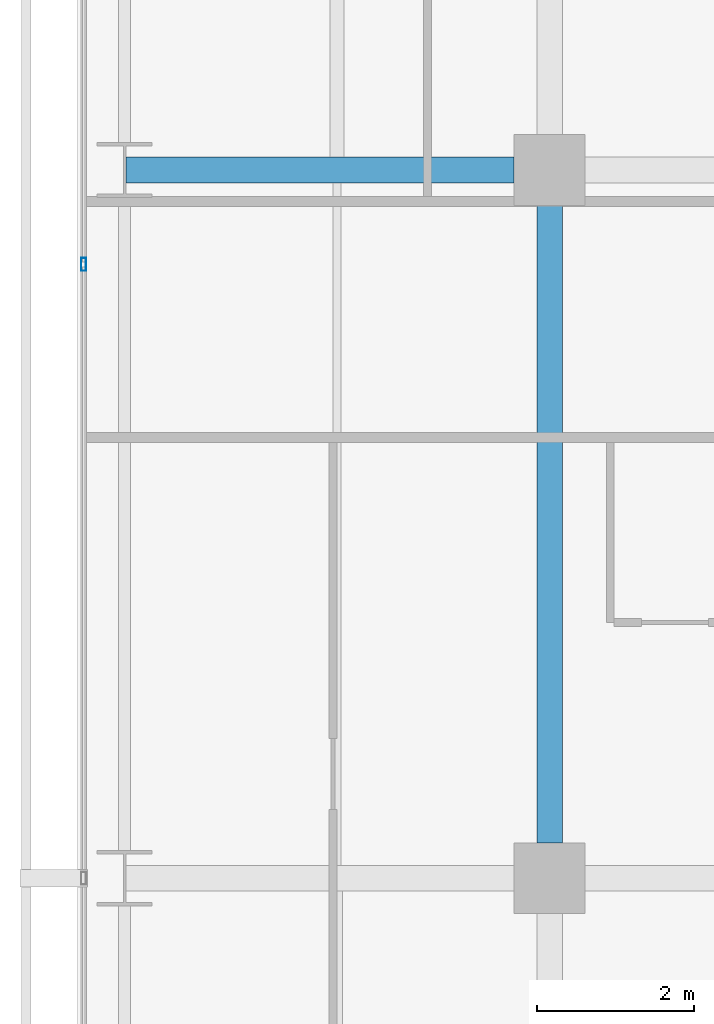
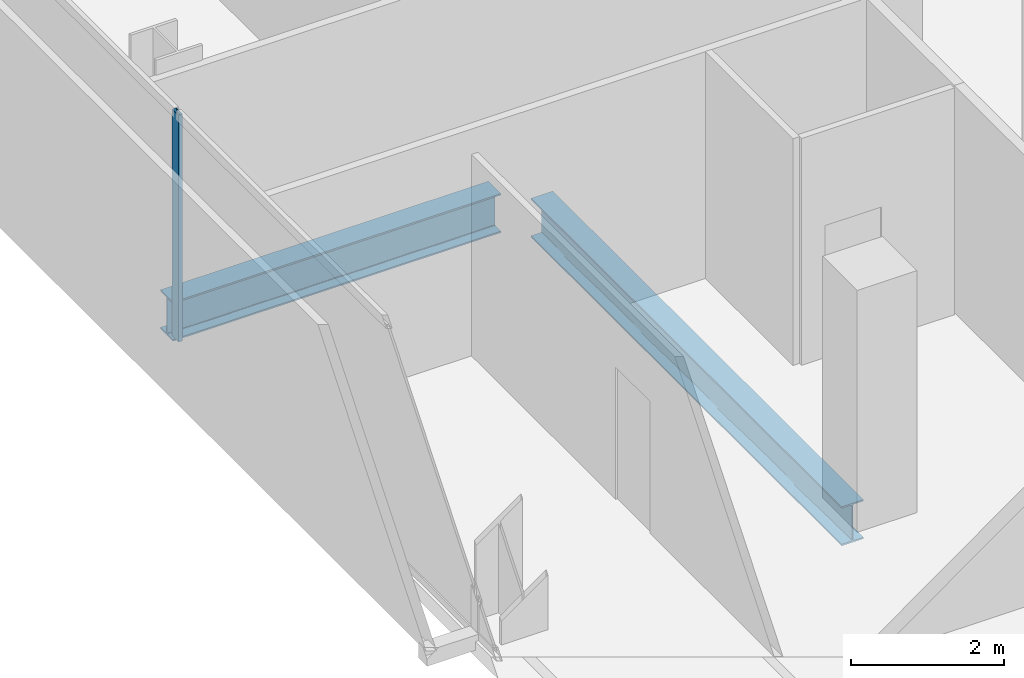
# One storey, part 21 of 39: 2 beams, 1 member, 1 element without a shape of its own.
"""IFC4 building model written with IfcOpenShell, lengths in metres."""

from ifc_helpers import new_model, si_unit, direction, frame, origin, origin_2d, place, context, subcontext, project, spatial, hollow_rectangle, i_section, extrude, material, layer, layer_set, material_profile, profile_set, type_object, element, aggregate, save


model = new_model("IFC4")

# Units and contexts
model_context = context("Model", 3, precision=1e-05, world=origin(), true_north=direction((0.0, 1.0)))
body_context = subcontext(model_context, "Body", "Model", "MODEL_VIEW")
ifc_project = project(units=[si_unit("LENGTHUNIT", "METRE"), si_unit("AREAUNIT", "SQUARE_METRE"), si_unit("VOLUMEUNIT", "CUBIC_METRE"), si_unit("PLANEANGLEUNIT", "RADIAN"), si_unit("MASSUNIT", "GRAM", prefix="KILO")], contexts=[model_context])

# Site, building, storey
site_placement = place(None, origin())
site = spatial("IfcSite", under=ifc_project, at=site_placement, CompositionType="ELEMENT")
building_placement = place(site_placement, origin())
building = spatial("IfcBuilding", under=site, at=building_placement, Name="Maruvema Waterfront Hotel and Observation Tower", CompositionType="ELEMENT")
storey_placement = place(building_placement, frame((0.0, 0.0, 69.300048828125)))
storey = spatial("IfcBuildingStorey", under=building, at=storey_placement, Name="L16", CompositionType="ELEMENT", Elevation=69.300048828125)

# Curtain wall, member
ifc_material_1 = material(Name="Anodised bronze aluminium and solar-control low-E IGU", Category="aluminium")
ifc_layer = layer(ifc_material_1, 0.159912109375, Name="Zone 1 Bronze Inner Thermal Curtain Wall System CW-02")
ifc_layer_set = layer_set([ifc_layer], Name="Anodised bronze aluminium and solar-control low-E IGU")
curtain_wall_type = type_object("IfcCurtainWallType", Name="Zone 1 Bronze Inner Thermal Curtain Wall System CW-02", PredefinedType="USERDEFINED", material=ifc_layer_set)
curtain_wall_placement = place(storey_placement, origin())
curtain_wall = element("IfcCurtainWall", 1, at=curtain_wall_placement, inside=storey, type_object=curtain_wall_type, Name="L16 Curtain Wall CW-L16-W", ObjectType="UNITISED CURTAIN WALL", PredefinedType="USERDEFINED")
ifc_material_2 = material(Name="Anodised architectural bronze aluminium", Category="aluminium")
ifc_material_profile_1 = material_profile(ifc_material_2, hollow_rectangle(XDim=0.06494140625, YDim=0.1650390625, WallThickness=0.00390625, at=origin_2d()), Name="ALU-M65x165")
ifc_profile_set_1 = profile_set([ifc_material_profile_1], Name="Anodised architectural bronze aluminium")
member_type = type_object("IfcMemberType", Name="Curtain Wall Primary Mullion ALU-M65x165", PredefinedType="MULLION", material=ifc_profile_set_1)
member_placement = place(storey_placement, frame((10.8798828125, 34.800048828125, 0.0), z_axis=(0.0, 0.0, 1.0), x_axis=(1.0, 0.0, 0.0)))
member = element("IfcMember", 2, at=member_placement, type_object=member_type, Name="CW-02 mullion 3", PredefinedType="MULLION", context=body_context, shape_type="SweptSolid", body=[
    extrude(hollow_rectangle(XDim=0.06494140625, YDim=0.1650390625, WallThickness=0.00390625, at=origin_2d()), origin(), (0.0, 0.0, 1.0), 3.60986328125),
])
aggregate(curtain_wall, [member])

# Beams
ifc_material_3 = material(Name="Steel ASTM A572 Grade 50", Category="steel")
ifc_material_profile_2 = material_profile(ifc_material_3, i_section(OverallWidth=0.326904296875, OverallDepth=0.6220703125, WebThickness=0.015380859375, FlangeThickness=0.0244140625, FilletRadius=0.01806640625, at=origin_2d()), Name="W610x195.0")
ifc_profile_set_2 = profile_set([ifc_material_profile_2], Name="Steel ASTM A572 Grade 50")
beam_type = type_object("IfcBeamType", Name="Primary Floor Girder W610x195.0", PredefinedType="BEAM", material=ifc_profile_set_2)
beam_1_placement = place(storey_placement, frame((11.4140625, 36.0, -0.551025390625), z_axis=(1.0, 0.0, 0.0), x_axis=(0.0, 1.0, 0.0)))
element("IfcBeam", 3, at=beam_1_placement, inside=storey, type_object=beam_type, Name="L16 Floor Girder EW-25", PredefinedType="BEAM", context=body_context, shape_type="SweptSolid", body=[
    extrude(i_section(OverallWidth=0.326904296875, OverallDepth=0.6220703125, WebThickness=0.015380859375, FlangeThickness=0.0244140625, FilletRadius=0.01806640625, at=origin_2d()), origin(), (0.0, 0.0, 1.0), 4.93603515625),
])
beam_2_placement = place(storey_placement, frame((16.800048828125, 27.449951171875, -0.551025390625), z_axis=(0.0, 1.0, 0.0), x_axis=(-1.0, 0.0, 0.0)))
element("IfcBeam", 4, at=beam_2_placement, inside=storey, type_object=beam_type, Name="L16 Floor Girder NS-08", PredefinedType="BEAM", context=body_context, shape_type="SweptSolid", body=[
    extrude(i_section(OverallWidth=0.326904296875, OverallDepth=0.6220703125, WebThickness=0.015380859375, FlangeThickness=0.0244140625, FilletRadius=0.01806640625, at=origin_2d()), origin(), (0.0, 0.0, 1.0), 8.10009765625),
])

save(model, "model.ifc")
